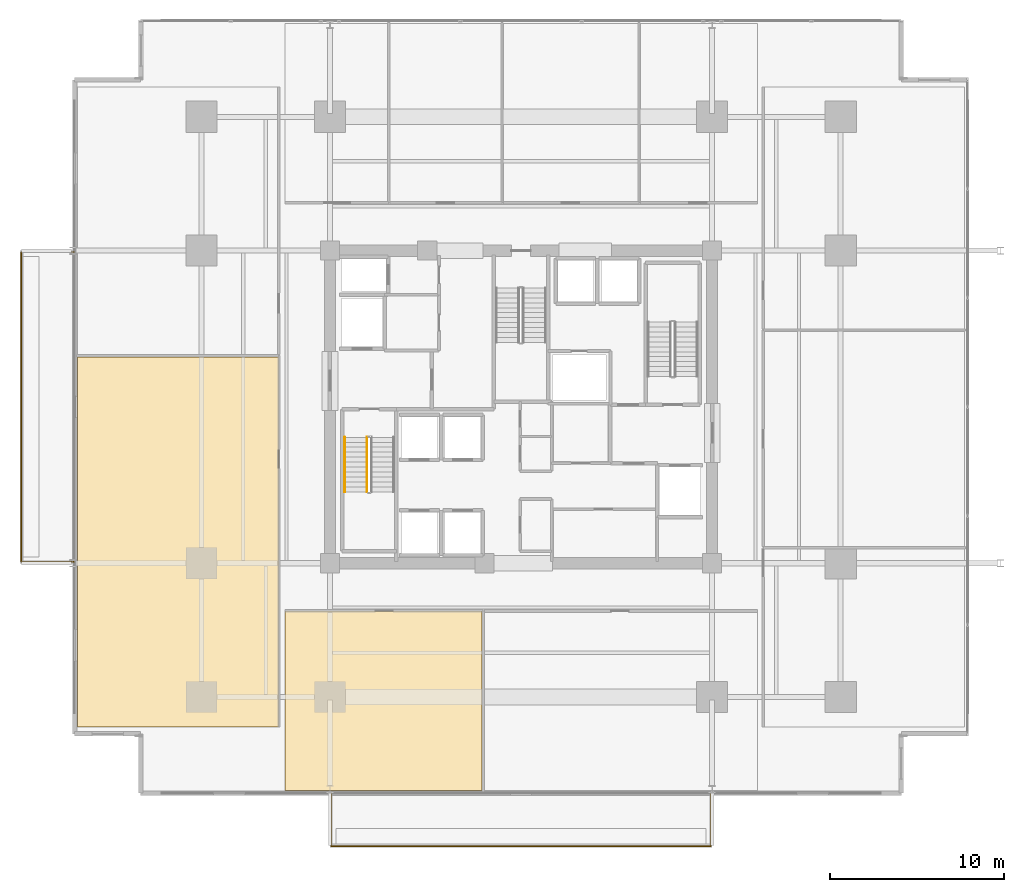
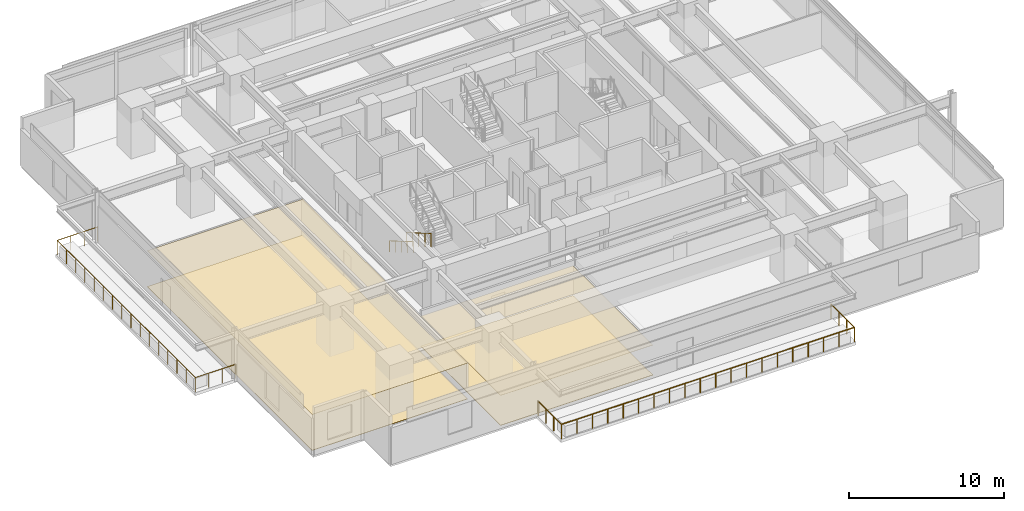
# One storey, part 19 of 23: 4 coverings, 4 railings.
"""IFC4 building model written with IfcOpenShell, lengths in metres."""

from ifc_helpers import new_model, si_unit, direction, frame, origin, origin_2d, place, context, subcontext, project, spatial, polyline, circle, outline, extrude, material, layer, layer_set, type_object, element, save


model = new_model("IFC4")

# Units and contexts
model_context = context("Model", 3, precision=1e-05, world=origin(), true_north=direction((0.0, 1.0)))
body_context = subcontext(model_context, "Body", "Model", "MODEL_VIEW")
ifc_project = project(units=[si_unit("LENGTHUNIT", "METRE"), si_unit("AREAUNIT", "SQUARE_METRE"), si_unit("VOLUMEUNIT", "CUBIC_METRE"), si_unit("PLANEANGLEUNIT", "RADIAN"), si_unit("MASSUNIT", "GRAM", prefix="KILO")], contexts=[model_context])

# Site, building, storey
site_placement = place(None, origin())
site = spatial("IfcSite", under=ifc_project, at=site_placement, CompositionType="ELEMENT")
building_placement = place(site_placement, origin())
building = spatial("IfcBuilding", under=site, at=building_placement, Name="Kovane Verandah Tower", CompositionType="ELEMENT")
storey_placement = place(building_placement, frame((0.0, 0.0, 55.60009765625)))
storey = spatial("IfcBuildingStorey", under=building, at=storey_placement, Name="L12", CompositionType="ELEMENT", Elevation=55.60009765625)

# Coverings
ifc_material_1 = material(Name="Perforated Acoustic Mineral-Fibre Ceiling Tile", Category="gypsum")
ifc_layer_1 = layer(ifc_material_1, 0.02490234375)
ifc_layer_set_1 = layer_set([ifc_layer_1], Name="Perforated Acoustic Mineral-Fibre Ceiling Tile")
covering_type_1 = type_object("IfcCoveringType", Name="CV-CEIL-25", PredefinedType="CEILING", material=ifc_layer_set_1)
covering_1_placement = place(storey_placement, frame((0.0, 0.0, 2.364990234375)))
element("IfcCovering", 1, at=covering_1_placement, inside=storey, type_object=covering_type_1, Name="L12 Collaboration Hub S1 Acoustic Ceiling", PredefinedType="CEILING", context=body_context, shape_type="SweptSolid", body=[
    extrude(outline(polyline([(26.39990234375, 5.4228515625), (37.75390625, 5.4228515625), (37.75390625, 15.75), (26.39990234375, 15.75), (26.39990234375, 5.4228515625)])), origin(), (0.0, 0.0, 1.0), 0.02490234375),
])
covering_2_placement = place(storey_placement, frame((0.0, 0.0, 2.824951171875)))
element("IfcCovering", 2, at=covering_2_placement, inside=storey, type_object=covering_type_1, Name="L12 Open Plan Office W1 Acoustic Ceiling", PredefinedType="CEILING", context=body_context, shape_type="SweptSolid", body=[
    extrude(outline(polyline([(14.4541015625, 9.07275390625), (26.050048828125, 9.07275390625), (26.050048828125, 30.37841796875), (14.4541015625, 30.37841796875), (14.4541015625, 9.07275390625)])), origin(), (0.0, 0.0, 1.0), 0.02490234375),
])
ifc_material_2 = material(Name="Polished Terrazzo and Raised-Access Carpet Tile Finish", Category="concrete")
ifc_layer_2 = layer(ifc_material_2, 0.030029296875)
ifc_layer_set_2 = layer_set([ifc_layer_2], Name="Polished Terrazzo and Raised-Access Carpet Tile Finish")
covering_type_2 = type_object("IfcCoveringType", Name="CV-FLOR-30", PredefinedType="FLOORING", material=ifc_layer_set_2)
covering_3_placement = place(storey_placement, origin())
element("IfcCovering", 3, at=covering_3_placement, inside=storey, type_object=covering_type_2, Name="L12 Collaboration Hub S1 Floor Finish", PredefinedType="FLOORING", context=body_context, shape_type="SweptSolid", body=[
    extrude(outline(polyline([(26.39990234375, 5.4228515625), (37.75390625, 5.4228515625), (37.75390625, 15.75), (26.39990234375, 15.75), (26.39990234375, 5.4228515625)])), origin(), (0.0, 0.0, 1.0), 0.02978515625),
])
covering_4_placement = place(storey_placement, origin())
element("IfcCovering", 4, at=covering_4_placement, inside=storey, type_object=covering_type_2, Name="L12 Open Plan Office W1 Floor Finish", PredefinedType="FLOORING", context=body_context, shape_type="SweptSolid", body=[
    extrude(outline(polyline([(14.4541015625, 9.07275390625), (26.050048828125, 9.07275390625), (26.050048828125, 30.37841796875), (14.4541015625, 30.37841796875), (14.4541015625, 9.07275390625)])), origin(), (0.0, 0.0, 1.0), 0.02978515625),
])

# Railings
ifc_material_3 = material(Name="Laminated Glass and Pale-Champagne Stainless Balustrade", Category="glass")
railing_type_1 = type_object("IfcRailingType", Name="RL-BAL-1150", PredefinedType="BALUSTRADE", material=ifc_material_3)
railing_1_placement = place(storey_placement, frame((29.080078125, 5.222900390625, 0.0)))
element("IfcRailing", 5, at=railing_1_placement, inside=storey, type_object=railing_type_1, Name="L12 S Verandah Glass Balustrade", PredefinedType="BALUSTRADE", context=body_context, shape_type="SweptSolid", body=[
    extrude(circle(Radius=0.02392578125, at=origin_2d()), frame((0.0, 0.0, 1.1259765625), z_axis=(0.0, -1.0, 0.0), x_axis=(1.0, 0.0, 0.0)), (0.0, 0.0, 1.0), 3.02001953125),
    extrude(circle(Radius=0.02392578125, at=origin_2d()), frame((0.0, -3.02001953125, 1.1259765625), z_axis=(1.0, 0.0, 0.0), x_axis=(0.0, 1.0, 0.0)), (0.0, 0.0, 1.0), 21.83984375),
    extrude(circle(Radius=0.02392578125, at=origin_2d()), frame((21.83984375, -3.02001953125, 1.1259765625), z_axis=(0.0, 1.0, 0.0), x_axis=(-1.0, 0.0, 0.0)), (0.0, 0.0, 1.0), 3.02001953125),
    extrude(circle(Radius=0.02099609375, at=origin_2d()), origin(), (0.0, 0.0, 1.0), 1.101806640625),
    extrude(circle(Radius=0.02099609375, at=origin_2d()), frame((0.0, -1.006591796875, 0.0)), (0.0, 0.0, 1.0), 1.101806640625),
    extrude(circle(Radius=0.02099609375, at=origin_2d()), frame((0.0, -2.013427734375, 0.0)), (0.0, 0.0, 1.0), 1.101806640625),
    extrude(circle(Radius=0.02099609375, at=origin_2d()), frame((0.0, -3.02001953125, 0.0)), (0.0, 0.0, 1.0), 1.101806640625),
    extrude(circle(Radius=0.02099609375, at=origin_2d()), frame((1.1494140625, -3.02001953125, 0.0)), (0.0, 0.0, 1.0), 1.101806640625),
    extrude(circle(Radius=0.02099609375, at=origin_2d()), frame((2.298828125, -3.02001953125, 0.0)), (0.0, 0.0, 1.0), 1.101806640625),
    extrude(circle(Radius=0.02099609375, at=origin_2d()), frame((3.448486328125, -3.02001953125, 0.0)), (0.0, 0.0, 1.0), 1.101806640625),
    extrude(circle(Radius=0.02099609375, at=origin_2d()), frame((4.597900390625, -3.02001953125, 0.0)), (0.0, 0.0, 1.0), 1.101806640625),
    extrude(circle(Radius=0.02099609375, at=origin_2d()), frame((5.747314453125, -3.02001953125, 0.0)), (0.0, 0.0, 1.0), 1.101806640625),
    extrude(circle(Radius=0.02099609375, at=origin_2d()), frame((6.896728515625, -3.02001953125, 0.0)), (0.0, 0.0, 1.0), 1.101806640625),
    extrude(circle(Radius=0.02099609375, at=origin_2d()), frame((8.046142578125, -3.02001953125, 0.0)), (0.0, 0.0, 1.0), 1.101806640625),
    extrude(circle(Radius=0.02099609375, at=origin_2d()), frame((9.19580078125, -3.02001953125, 0.0)), (0.0, 0.0, 1.0), 1.101806640625),
    extrude(circle(Radius=0.02099609375, at=origin_2d()), frame((10.34521484375, -3.02001953125, 0.0)), (0.0, 0.0, 1.0), 1.101806640625),
    extrude(circle(Radius=0.02099609375, at=origin_2d()), frame((11.49462890625, -3.02001953125, 0.0)), (0.0, 0.0, 1.0), 1.101806640625),
    extrude(circle(Radius=0.02099609375, at=origin_2d()), frame((12.64404296875, -3.02001953125, 0.0)), (0.0, 0.0, 1.0), 1.101806640625),
    extrude(circle(Radius=0.02099609375, at=origin_2d()), frame((13.793701171875, -3.02001953125, 0.0)), (0.0, 0.0, 1.0), 1.101806640625),
    extrude(circle(Radius=0.02099609375, at=origin_2d()), frame((14.943115234375, -3.02001953125, 0.0)), (0.0, 0.0, 1.0), 1.101806640625),
    extrude(circle(Radius=0.02099609375, at=origin_2d()), frame((16.092529296875, -3.02001953125, 0.0)), (0.0, 0.0, 1.0), 1.101806640625),
    extrude(circle(Radius=0.02099609375, at=origin_2d()), frame((17.241943359375, -3.02001953125, 0.0)), (0.0, 0.0, 1.0), 1.101806640625),
    extrude(circle(Radius=0.02099609375, at=origin_2d()), frame((18.391357421875, -3.02001953125, 0.0)), (0.0, 0.0, 1.0), 1.101806640625),
    extrude(circle(Radius=0.02099609375, at=origin_2d()), frame((19.541015625, -3.02001953125, 0.0)), (0.0, 0.0, 1.0), 1.101806640625),
    extrude(circle(Radius=0.02099609375, at=origin_2d()), frame((20.6904296875, -3.02001953125, 0.0)), (0.0, 0.0, 1.0), 1.101806640625),
    extrude(circle(Radius=0.02099609375, at=origin_2d()), frame((21.83984375, -3.02001953125, 0.0)), (0.0, 0.0, 1.0), 1.101806640625),
    extrude(circle(Radius=0.02099609375, at=origin_2d()), frame((21.83984375, -2.013427734375, 0.0)), (0.0, 0.0, 1.0), 1.101806640625),
    extrude(circle(Radius=0.02099609375, at=origin_2d()), frame((21.83984375, -1.006591796875, 0.0)), (0.0, 0.0, 1.0), 1.101806640625),
    extrude(circle(Radius=0.02099609375, at=origin_2d()), frame((21.83984375, 0.0, 0.0)), (0.0, 0.0, 1.0), 1.101806640625),
])
railing_2_placement = place(storey_placement, frame((14.25390625, 18.580078125, 0.0)))
element("IfcRailing", 6, at=railing_2_placement, inside=storey, type_object=railing_type_1, Name="L12 W Verandah Glass Balustrade", PredefinedType="BALUSTRADE", context=body_context, shape_type="SweptSolid", body=[
    extrude(circle(Radius=0.02392578125, at=origin_2d()), frame((0.0, 0.0, 1.1259765625), z_axis=(-1.0, 0.0, 0.0), x_axis=(0.0, -1.0, 0.0)), (0.0, 0.0, 1.0), 3.02001953125),
    extrude(circle(Radius=0.02392578125, at=origin_2d()), frame((-3.02001953125, 0.0, 1.1259765625), z_axis=(0.0, 1.0, 0.0), x_axis=(-1.0, 0.0, 0.0)), (0.0, 0.0, 1.0), 17.83984375),
    extrude(circle(Radius=0.02392578125, at=origin_2d()), frame((-3.02001953125, 17.83984375, 1.1259765625), z_axis=(1.0, 0.0, 0.0), x_axis=(0.0, 1.0, 0.0)), (0.0, 0.0, 1.0), 3.02001953125),
    extrude(circle(Radius=0.02099609375, at=origin_2d()), origin(), (0.0, 0.0, 1.0), 1.101806640625),
    extrude(circle(Radius=0.02099609375, at=origin_2d()), frame((-1.006591796875, 0.0, 0.0)), (0.0, 0.0, 1.0), 1.101806640625),
    extrude(circle(Radius=0.02099609375, at=origin_2d()), frame((-2.013427734375, 0.0, 0.0)), (0.0, 0.0, 1.0), 1.101806640625),
    extrude(circle(Radius=0.02099609375, at=origin_2d()), frame((-3.02001953125, 0.0, 0.0)), (0.0, 0.0, 1.0), 1.101806640625),
    extrude(circle(Radius=0.02099609375, at=origin_2d()), frame((-3.02001953125, 1.189208984375, 0.0)), (0.0, 0.0, 1.0), 1.101806640625),
    extrude(circle(Radius=0.02099609375, at=origin_2d()), frame((-3.02001953125, 2.378662109375, 0.0)), (0.0, 0.0, 1.0), 1.101806640625),
    extrude(circle(Radius=0.02099609375, at=origin_2d()), frame((-3.02001953125, 3.56787109375, 0.0)), (0.0, 0.0, 1.0), 1.101806640625),
    extrude(circle(Radius=0.02099609375, at=origin_2d()), frame((-3.02001953125, 4.75732421875, 0.0)), (0.0, 0.0, 1.0), 1.101806640625),
    extrude(circle(Radius=0.02099609375, at=origin_2d()), frame((-3.02001953125, 5.946533203125, 0.0)), (0.0, 0.0, 1.0), 1.101806640625),
    extrude(circle(Radius=0.02099609375, at=origin_2d()), frame((-3.02001953125, 7.135986328125, 0.0)), (0.0, 0.0, 1.0), 1.101806640625),
    extrude(circle(Radius=0.02099609375, at=origin_2d()), frame((-3.02001953125, 8.3251953125, 0.0)), (0.0, 0.0, 1.0), 1.101806640625),
    extrude(circle(Radius=0.02099609375, at=origin_2d()), frame((-3.02001953125, 9.5146484375, 0.0)), (0.0, 0.0, 1.0), 1.101806640625),
    extrude(circle(Radius=0.02099609375, at=origin_2d()), frame((-3.02001953125, 10.703857421875, 0.0)), (0.0, 0.0, 1.0), 1.101806640625),
    extrude(circle(Radius=0.02099609375, at=origin_2d()), frame((-3.02001953125, 11.893310546875, 0.0)), (0.0, 0.0, 1.0), 1.101806640625),
    extrude(circle(Radius=0.02099609375, at=origin_2d()), frame((-3.02001953125, 13.08251953125, 0.0)), (0.0, 0.0, 1.0), 1.101806640625),
    extrude(circle(Radius=0.02099609375, at=origin_2d()), frame((-3.02001953125, 14.27197265625, 0.0)), (0.0, 0.0, 1.0), 1.101806640625),
    extrude(circle(Radius=0.02099609375, at=origin_2d()), frame((-3.02001953125, 15.461181640625, 0.0)), (0.0, 0.0, 1.0), 1.101806640625),
    extrude(circle(Radius=0.02099609375, at=origin_2d()), frame((-3.02001953125, 16.650634765625, 0.0)), (0.0, 0.0, 1.0), 1.101806640625),
    extrude(circle(Radius=0.02099609375, at=origin_2d()), frame((-3.02001953125, 17.83984375, 0.0)), (0.0, 0.0, 1.0), 1.101806640625),
    extrude(circle(Radius=0.02099609375, at=origin_2d()), frame((-2.013427734375, 17.83984375, 0.0)), (0.0, 0.0, 1.0), 1.101806640625),
    extrude(circle(Radius=0.02099609375, at=origin_2d()), frame((-1.006591796875, 17.83984375, 0.0)), (0.0, 0.0, 1.0), 1.101806640625),
    extrude(circle(Radius=0.02099609375, at=origin_2d()), frame((0.0, 17.83984375, 0.0)), (0.0, 0.0, 1.0), 1.101806640625),
])
ifc_material_4 = material(Name="Brushed Stainless Steel Handrail", Category="steel")
railing_type_2 = type_object("IfcRailingType", Name="RL-HAND-920", PredefinedType="HANDRAIL", material=ifc_material_4)
railing_3_placement = place(storey_placement, frame((29.85009765625, 25.75, 0.16650390625)))
element("IfcRailing", 7, at=railing_3_placement, inside=storey, type_object=railing_type_2, Name="L12 ST-01 stair handrail 1", PredefinedType="HANDRAIL", context=body_context, shape_type="SweptSolid", body=[
    extrude(circle(Radius=0.02392578125, at=origin_2d()), frame((0.0, 0.0, 0.8759765625), z_axis=(0.0, -0.863210265497, 0.504844567704), x_axis=(1.0, 0.0, 0.0)), (0.0, 0.0, 1.0), 3.6318359375),
    extrude(circle(Radius=0.02099609375, at=origin_2d()), origin(), (0.0, 0.0, 1.0), 0.851806640625),
    extrude(circle(Radius=0.02099609375, at=origin_2d()), frame((0.0, -0.78369140625, 0.45849609375)), (0.0, 0.0, 1.0), 0.851806640625),
    extrude(circle(Radius=0.02099609375, at=origin_2d()), frame((0.0, -1.5673828125, 0.916748046875)), (0.0, 0.0, 1.0), 0.851806640625),
    extrude(circle(Radius=0.02099609375, at=origin_2d()), frame((0.0, -2.351318359375, 1.375)), (0.0, 0.0, 1.0), 0.851806640625),
    extrude(circle(Radius=0.02099609375, at=origin_2d()), frame((0.0, -3.135009765625, 1.83349609375)), (0.0, 0.0, 1.0), 0.851806640625),
])
ifc_material_5 = material(Name="Painted Steel Stairwell Guardrail", Category="steel")
railing_type_3 = type_object("IfcRailingType", Name="RL-STGUARD-1120", PredefinedType="GUARDRAIL", material=ifc_material_5)
railing_4_placement = place(storey_placement, frame((31.1298828125, 25.75, 0.16650390625)))
element("IfcRailing", 8, at=railing_4_placement, inside=storey, type_object=railing_type_3, Name="L12 ST-01 stair guard 1", PredefinedType="GUARDRAIL", context=body_context, shape_type="SweptSolid", body=[
    extrude(circle(Radius=0.02392578125, at=origin_2d()), frame((0.0, 0.0, 1.076171875), z_axis=(0.0, -0.863210265497, 0.504844567704), x_axis=(1.0, 0.0, 0.0)), (0.0, 0.0, 1.0), 3.6318359375),
    extrude(circle(Radius=0.02099609375, at=origin_2d()), origin(), (0.0, 0.0, 1.0), 1.052001953125),
    extrude(circle(Radius=0.02099609375, at=origin_2d()), frame((0.0, -0.78369140625, 0.45849609375)), (0.0, 0.0, 1.0), 1.052001953125),
    extrude(circle(Radius=0.02099609375, at=origin_2d()), frame((0.0, -1.5673828125, 0.916748046875)), (0.0, 0.0, 1.0), 1.052001953125),
    extrude(circle(Radius=0.02099609375, at=origin_2d()), frame((0.0, -2.351318359375, 1.375)), (0.0, 0.0, 1.0), 1.052001953125),
    extrude(circle(Radius=0.02099609375, at=origin_2d()), frame((0.0, -3.135009765625, 1.83349609375)), (0.0, 0.0, 1.0), 1.052001953125),
])

save(model, "model.ifc")
